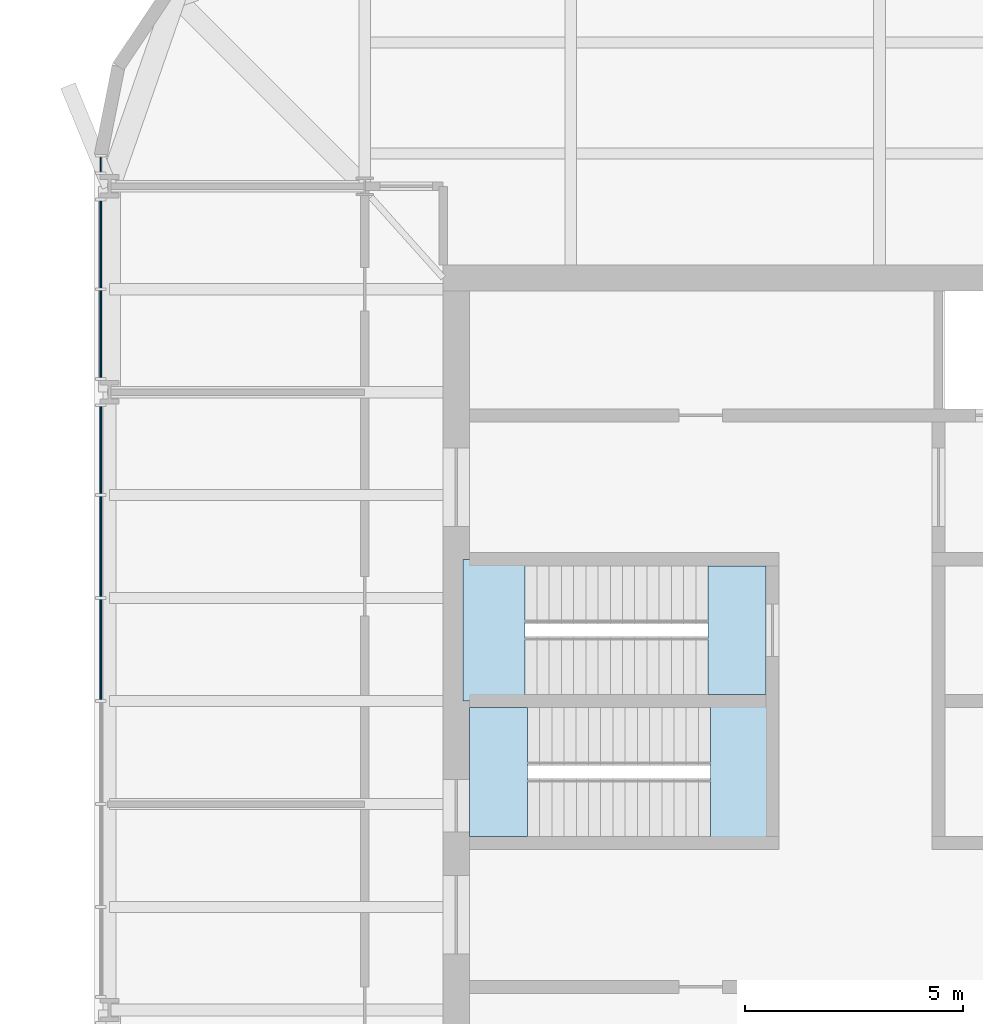
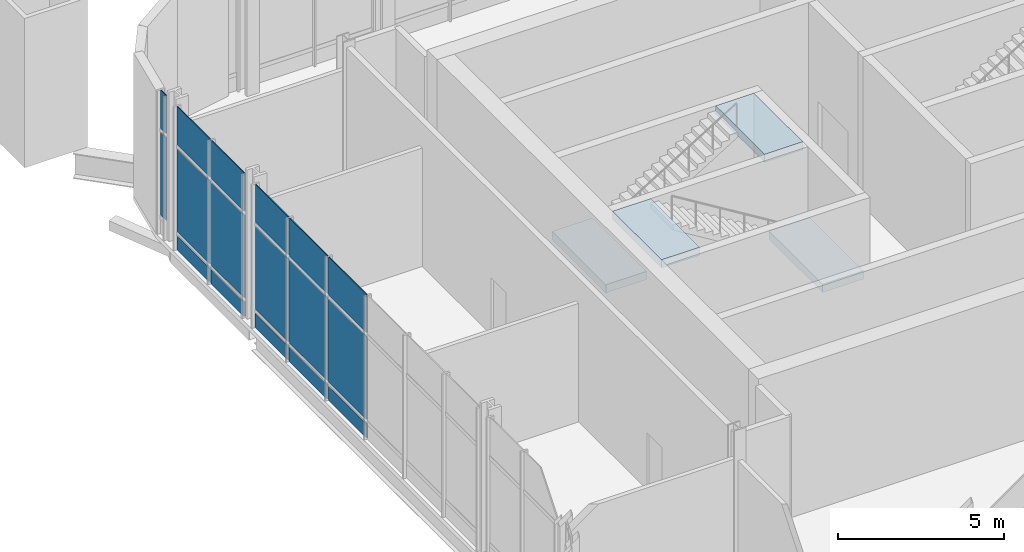
# One storey, part 9 of 17: 17 plates, 4 slabs, 5 elements without a shape of their own.
"""IFC4 building model written with IfcOpenShell, lengths in metres."""

from ifc_helpers import new_model, si_unit, direction, frame, origin, origin_2d, place, context, subcontext, project, spatial, polyline, rectangle, outline, extrude, material, layer, layer_set, type_object, element, aggregate, save


model = new_model("IFC4")

# Units and contexts
model_context = context("Model", 3, precision=1e-05, world=origin(), true_north=direction((0.0, 1.0)))
body_context = subcontext(model_context, "Body", "Model", "MODEL_VIEW")
ifc_project = project(units=[si_unit("LENGTHUNIT", "METRE"), si_unit("AREAUNIT", "SQUARE_METRE"), si_unit("VOLUMEUNIT", "CUBIC_METRE"), si_unit("PLANEANGLEUNIT", "RADIAN"), si_unit("MASSUNIT", "GRAM", prefix="KILO")], contexts=[model_context])

# Site, building, storey
site_placement = place(None, origin())
site = spatial("IfcSite", under=ifc_project, at=site_placement, CompositionType="ELEMENT")
building_placement = place(site_placement, origin())
building = spatial("IfcBuilding", under=site, at=building_placement, Name="Turquesa Mirador Hotel Tower", CompositionType="ELEMENT")
storey_placement = place(building_placement, frame((0.0, 0.0, 266.699951171875)))
storey = spatial("IfcBuildingStorey", under=building, at=storey_placement, Name="L72", CompositionType="ELEMENT", Elevation=266.699951171875)

# Curtain wall, plates
ifc_material_1 = material(Name="Aluminium extrusion", Category="aluminium")
curtain_wall_type = type_object("IfcCurtainWallType", Name="CW-6 OBSERVATION CURTAIN WALL", PredefinedType="USERDEFINED", material=ifc_material_1)
curtain_wall_1_placement = place(storey_placement, origin())
curtain_wall_1 = element("IfcCurtainWall", 1, at=curtain_wall_1_placement, inside=storey, type_object=curtain_wall_type, Name="CW-6 OBSERVATION CURTAIN WALL L72", ObjectType="CURTAIN WALL", PredefinedType="USERDEFINED")
ifc_material_2 = material(Name="Ceramic-printed spandrel glass on an insulated back pan", Category="glass")
ifc_layer_1 = layer(ifc_material_2, 0.050048828125)
ifc_layer_set_1 = layer_set([ifc_layer_1], Name="CW PANEL SPANDREL CERAMIC")
plate_type_1 = type_object("IfcPlateType", Name="CW PANEL SPANDREL CERAMIC", PredefinedType="CURTAIN_PANEL", material=ifc_layer_set_1)
plate_1_placement = place(storey_placement, frame((37.14990234375, 55.469970703125, 0.0), z_axis=(0.0, 0.0, 1.0), x_axis=(0.0, -1.0, 0.0)))
plate_1 = element("IfcPlate", 2, at=plate_1_placement, type_object=plate_type_1, Name="Panel", PredefinedType="CURTAIN_PANEL", context=body_context, shape_type="SweptSolid", body=[
    extrude(rectangle(XDim=1.9951171875, YDim=0.050048828125, at=origin_2d()), origin(), (0.0, 0.0, 1.0), 0.52490234375),
])
plate_2_placement = place(storey_placement, frame((37.14990234375, 53.409912109375, 0.0), z_axis=(0.0, 0.0, 1.0), x_axis=(0.0, -1.0, 0.0)))
plate_2 = element("IfcPlate", 3, at=plate_2_placement, type_object=plate_type_1, Name="Panel", PredefinedType="CURTAIN_PANEL", context=body_context, shape_type="SweptSolid", body=[
    extrude(rectangle(XDim=1.9951171875, YDim=0.050048828125, at=origin_2d()), origin(), (0.0, 0.0, 1.0), 0.52490234375),
])

curtain_wall_2_placement = place(storey_placement, origin())
curtain_wall_2 = element("IfcCurtainWall", 4, at=curtain_wall_2_placement, inside=storey, type_object=curtain_wall_type, Name="CW-6 OBSERVATION CURTAIN WALL L72", ObjectType="CURTAIN WALL", PredefinedType="USERDEFINED")
plate_3_placement = place(storey_placement, frame((37.14990234375, 50.75, 0.0), z_axis=(0.0, 0.0, 1.0), x_axis=(0.0, -1.0, 0.0)))
plate_3 = element("IfcPlate", 5, at=plate_3_placement, type_object=plate_type_1, Name="Panel", PredefinedType="CURTAIN_PANEL", context=body_context, shape_type="SweptSolid", body=[
    extrude(rectangle(XDim=1.9951171875, YDim=0.050048828125, at=origin_2d()), origin(), (0.0, 0.0, 1.0), 0.52490234375),
])
plate_4_placement = place(storey_placement, frame((37.14990234375, 48.5400390625, 0.0), z_axis=(0.0, 0.0, 1.0), x_axis=(0.0, -1.0, 0.0)))
plate_4 = element("IfcPlate", 6, at=plate_4_placement, type_object=plate_type_1, Name="Panel", PredefinedType="CURTAIN_PANEL", context=body_context, shape_type="SweptSolid", body=[
    extrude(rectangle(XDim=2.294921875, YDim=0.050048828125, at=origin_2d()), origin(), (0.0, 0.0, 1.0), 0.52490234375),
])
plate_5_placement = place(storey_placement, frame((37.14990234375, 46.179931640625, 0.0), z_axis=(0.0, 0.0, 1.0), x_axis=(0.0, -1.0, 0.0)))
plate_5 = element("IfcPlate", 7, at=plate_5_placement, type_object=plate_type_1, Name="Panel", PredefinedType="CURTAIN_PANEL", context=body_context, shape_type="SweptSolid", body=[
    extrude(rectangle(XDim=2.294921875, YDim=0.050048828125, at=origin_2d()), origin(), (0.0, 0.0, 1.0), 0.52490234375),
])

curtain_wall_3_placement = place(storey_placement, origin())
curtain_wall_3 = element("IfcCurtainWall", 8, at=curtain_wall_3_placement, inside=storey, type_object=curtain_wall_type, Name="CW-6 OBSERVATION CURTAIN WALL L72", ObjectType="CURTAIN WALL", PredefinedType="USERDEFINED")
ifc_material_3 = material(Name="Ceramic-fritted laminated glass", Category="glass")
ifc_layer_2 = layer(ifc_material_3, 0.031982421875)
ifc_layer_set_2 = layer_set([ifc_layer_2], Name="CW PANEL VISION FRITTED")
plate_type_2 = type_object("IfcPlateType", Name="CW PANEL VISION FRITTED", PredefinedType="CURTAIN_PANEL", material=ifc_layer_set_2)
plate_6_placement = place(storey_placement, frame((37.14990234375, 57.300048828125, 0.6748046875), z_axis=(0.0, 0.0, 1.0), x_axis=(0.0, -1.0, 0.0)))
plate_6 = element("IfcPlate", 9, at=plate_6_placement, type_object=plate_type_2, Name="Panel", PredefinedType="CURTAIN_PANEL", context=body_context, shape_type="SweptSolid", body=[
    extrude(rectangle(XDim=0.3349609375, YDim=0.031982421875, at=origin_2d()), origin(), (0.0, 0.0, 1.0), 3.050048828125),
])
plate_7_placement = place(storey_placement, frame((37.14990234375, 57.300048828125, 3.875), z_axis=(0.0, 0.0, 1.0), x_axis=(0.0, -1.0, 0.0)))
plate_7 = element("IfcPlate", 10, at=plate_7_placement, type_object=plate_type_2, Name="Panel", PredefinedType="CURTAIN_PANEL", context=body_context, shape_type="SweptSolid", body=[
    extrude(rectangle(XDim=0.3349609375, YDim=0.031982421875, at=origin_2d()), origin(), (0.0, 0.0, 1.0), 1.405029296875),
])
aggregate(curtain_wall_3, [plate_6, plate_7])

# Plate
plate_8_placement = place(storey_placement, frame((37.14990234375, 55.469970703125, 0.6748046875), z_axis=(0.0, 0.0, 1.0), x_axis=(0.0, -1.0, 0.0)))
plate_8 = element("IfcPlate", 11, at=plate_8_placement, type_object=plate_type_2, Name="Panel", PredefinedType="CURTAIN_PANEL", context=body_context, shape_type="SweptSolid", body=[
    extrude(rectangle(XDim=1.9951171875, YDim=0.031982421875, at=origin_2d()), origin(), (0.0, 0.0, 1.0), 3.050048828125),
])

plate_9_placement = place(storey_placement, frame((37.14990234375, 55.469970703125, 3.875), z_axis=(0.0, 0.0, 1.0), x_axis=(0.0, -1.0, 0.0)))
plate_9 = element("IfcPlate", 12, at=plate_9_placement, type_object=plate_type_2, Name="Panel", PredefinedType="CURTAIN_PANEL", context=body_context, shape_type="SweptSolid", body=[
    extrude(rectangle(XDim=1.9951171875, YDim=0.031982421875, at=origin_2d()), origin(), (0.0, 0.0, 1.0), 1.405029296875),
])

plate_10_placement = place(storey_placement, frame((37.14990234375, 53.409912109375, 0.6748046875), z_axis=(0.0, 0.0, 1.0), x_axis=(0.0, -1.0, 0.0)))
plate_10 = element("IfcPlate", 13, at=plate_10_placement, type_object=plate_type_2, Name="Panel", PredefinedType="CURTAIN_PANEL", context=body_context, shape_type="SweptSolid", body=[
    extrude(rectangle(XDim=1.9951171875, YDim=0.031982421875, at=origin_2d()), origin(), (0.0, 0.0, 1.0), 3.050048828125),
])

plate_11_placement = place(storey_placement, frame((37.14990234375, 53.409912109375, 3.875), z_axis=(0.0, 0.0, 1.0), x_axis=(0.0, -1.0, 0.0)))
plate_11 = element("IfcPlate", 14, at=plate_11_placement, type_object=plate_type_2, Name="Panel", PredefinedType="CURTAIN_PANEL", context=body_context, shape_type="SweptSolid", body=[
    extrude(rectangle(XDim=1.9951171875, YDim=0.031982421875, at=origin_2d()), origin(), (0.0, 0.0, 1.0), 1.405029296875),
])

aggregate(curtain_wall_1, [plate_1, plate_8, plate_9, plate_2, plate_10, plate_11])

plate_12_placement = place(storey_placement, frame((37.14990234375, 50.75, 0.6748046875), z_axis=(0.0, 0.0, 1.0), x_axis=(0.0, -1.0, 0.0)))
plate_12 = element("IfcPlate", 15, at=plate_12_placement, type_object=plate_type_2, Name="Panel", PredefinedType="CURTAIN_PANEL", context=body_context, shape_type="SweptSolid", body=[
    extrude(rectangle(XDim=1.9951171875, YDim=0.031982421875, at=origin_2d()), origin(), (0.0, 0.0, 1.0), 3.050048828125),
])

plate_13_placement = place(storey_placement, frame((37.14990234375, 50.75, 3.875), z_axis=(0.0, 0.0, 1.0), x_axis=(0.0, -1.0, 0.0)))
plate_13 = element("IfcPlate", 16, at=plate_13_placement, type_object=plate_type_2, Name="Panel", PredefinedType="CURTAIN_PANEL", context=body_context, shape_type="SweptSolid", body=[
    extrude(rectangle(XDim=1.9951171875, YDim=0.031982421875, at=origin_2d()), origin(), (0.0, 0.0, 1.0), 1.405029296875),
])

plate_14_placement = place(storey_placement, frame((37.14990234375, 48.5400390625, 0.6748046875), z_axis=(0.0, 0.0, 1.0), x_axis=(0.0, -1.0, 0.0)))
plate_14 = element("IfcPlate", 17, at=plate_14_placement, type_object=plate_type_2, Name="Panel", PredefinedType="CURTAIN_PANEL", context=body_context, shape_type="SweptSolid", body=[
    extrude(rectangle(XDim=2.294921875, YDim=0.031982421875, at=origin_2d()), origin(), (0.0, 0.0, 1.0), 3.050048828125),
])

plate_15_placement = place(storey_placement, frame((37.14990234375, 48.5400390625, 3.875), z_axis=(0.0, 0.0, 1.0), x_axis=(0.0, -1.0, 0.0)))
plate_15 = element("IfcPlate", 18, at=plate_15_placement, type_object=plate_type_2, Name="Panel", PredefinedType="CURTAIN_PANEL", context=body_context, shape_type="SweptSolid", body=[
    extrude(rectangle(XDim=2.294921875, YDim=0.031982421875, at=origin_2d()), origin(), (0.0, 0.0, 1.0), 1.405029296875),
])

plate_16_placement = place(storey_placement, frame((37.14990234375, 46.179931640625, 0.6748046875), z_axis=(0.0, 0.0, 1.0), x_axis=(0.0, -1.0, 0.0)))
plate_16 = element("IfcPlate", 19, at=plate_16_placement, type_object=plate_type_2, Name="Panel", PredefinedType="CURTAIN_PANEL", context=body_context, shape_type="SweptSolid", body=[
    extrude(rectangle(XDim=2.294921875, YDim=0.031982421875, at=origin_2d()), origin(), (0.0, 0.0, 1.0), 3.050048828125),
])

plate_17_placement = place(storey_placement, frame((37.14990234375, 46.179931640625, 3.875), z_axis=(0.0, 0.0, 1.0), x_axis=(0.0, -1.0, 0.0)))
plate_17 = element("IfcPlate", 20, at=plate_17_placement, type_object=plate_type_2, Name="Panel", PredefinedType="CURTAIN_PANEL", context=body_context, shape_type="SweptSolid", body=[
    extrude(rectangle(XDim=2.294921875, YDim=0.031982421875, at=origin_2d()), origin(), (0.0, 0.0, 1.0), 1.405029296875),
])

aggregate(curtain_wall_2, [plate_3, plate_12, plate_13, plate_4, plate_14, plate_15, plate_5, plate_16, plate_17])

# Stair, slabs
ifc_material_4 = material(Name="Concrete C35/45", Category="concrete")
stair_type = type_object("IfcStairType", Name="ESCAPE STAIR CORE", PredefinedType="HALF_TURN_STAIR", material=ifc_material_4)
stair_1_placement = place(storey_placement, origin())
stair_1 = element("IfcStair", 21, at=stair_1_placement, inside=storey, type_object=stair_type, Name="Stair ST1 L72 to RF", PredefinedType="HALF_TURN_STAIR")
ifc_material_5 = material(Name="Concrete C35/45", Category="concrete")
ifc_layer_3 = layer(ifc_material_5, 0.300048828125)
ifc_layer_set_3 = layer_set([ifc_layer_3], Name="STAIR LANDING 300")
slab_type = type_object("IfcSlabType", Name="STAIR LANDING 300", PredefinedType="LANDING", material=ifc_layer_set_3)
slab_1_placement = place(storey_placement, frame((0.0, 0.0, 2.449951171875)))
slab_1 = element("IfcSlab", 22, at=slab_1_placement, type_object=slab_type, Name="ST1 landing 1", PredefinedType="LANDING", context=body_context, shape_type="SweptSolid", body=[
    extrude(outline(polyline([(45.449951171875, 45.0), (46.8701171875, 45.0), (46.8701171875, 48.25), (45.449951171875, 48.25), (45.449951171875, 45.0)])), origin(), (0.0, 0.0, 1.0), 0.300048828125),
])
slab_2_placement = place(storey_placement, frame((0.0, 0.0, 5.199951171875)))
slab_2 = element("IfcSlab", 23, at=slab_2_placement, type_object=slab_type, Name="ST1 landing 2", PredefinedType="LANDING", context=body_context, shape_type="SweptSolid", body=[
    extrude(outline(polyline([(51.070068359375, 45.14990234375), (52.39990234375, 45.14990234375), (52.39990234375, 48.10009765625), (51.070068359375, 48.10009765625), (51.070068359375, 45.14990234375)])), origin(), (0.0, 0.0, 1.0), 0.300048828125),
])
aggregate(stair_1, [slab_1, slab_2])

stair_2_placement = place(storey_placement, origin())
stair_2 = element("IfcStair", 24, at=stair_2_placement, inside=storey, type_object=stair_type, Name="Stair ST2 L72 to RF", PredefinedType="HALF_TURN_STAIR")
slab_3_placement = place(storey_placement, frame((0.0, 0.0, 2.449951171875)))
slab_3 = element("IfcSlab", 25, at=slab_3_placement, type_object=slab_type, Name="ST2 landing 1", PredefinedType="LANDING", context=body_context, shape_type="SweptSolid", body=[
    extrude(outline(polyline([(52.550048828125, 45.0), (51.1298828125, 45.0), (51.1298828125, 41.75), (52.550048828125, 41.75), (52.550048828125, 45.0)])), origin(), (0.0, 0.0, 1.0), 0.300048828125),
])
slab_4_placement = place(storey_placement, frame((0.0, 0.0, 5.199951171875)))
slab_4 = element("IfcSlab", 26, at=slab_4_placement, type_object=slab_type, Name="ST2 landing 2", PredefinedType="LANDING", context=body_context, shape_type="SweptSolid", body=[
    extrude(outline(polyline([(46.929931640625, 44.85009765625), (45.60009765625, 44.85009765625), (45.60009765625, 41.89990234375), (46.929931640625, 41.89990234375), (46.929931640625, 44.85009765625)])), origin(), (0.0, 0.0, 1.0), 0.300048828125),
])
aggregate(stair_2, [slab_3, slab_4])

save(model, "model.ifc")
